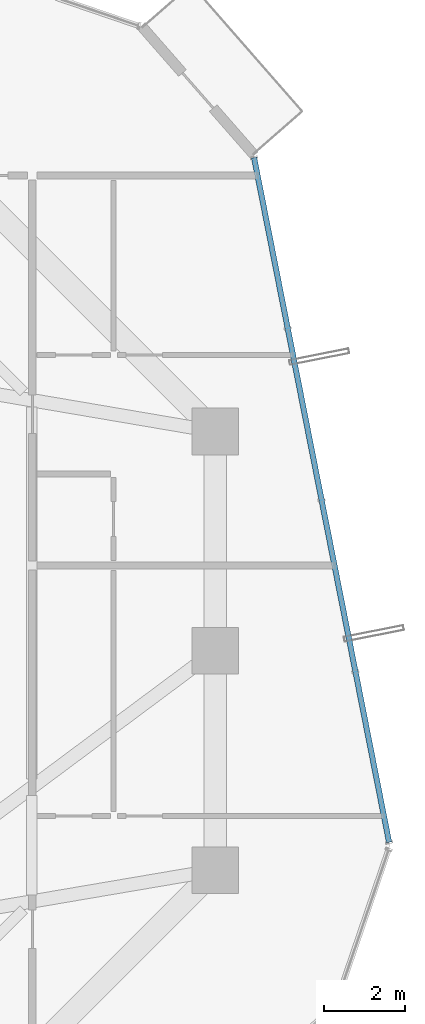
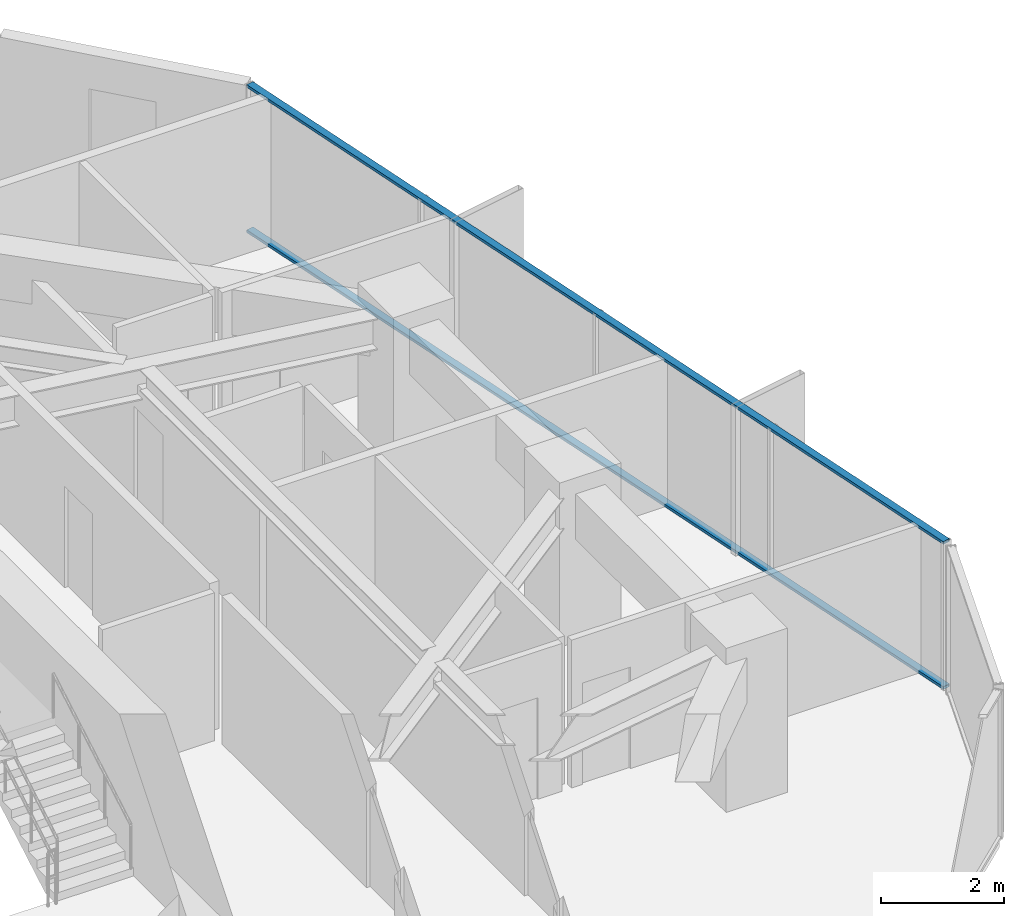
# One storey, part 19 of 36: 2 members, 1 element without a shape of its own.
"""IFC4 building model written with IfcOpenShell, lengths in metres."""

from ifc_helpers import new_model, si_unit, direction, frame, origin, origin_2d, place, context, subcontext, project, spatial, hollow_rectangle, extrude, source, transform, mapped, material, layer, layer_set, material_profile, profile_set, type_object, element, aggregate, save


model = new_model("IFC4")

# Units and contexts
model_context = context("Model", 3, precision=1e-05, world=origin(), true_north=direction((0.0, 1.0)))
body_context = subcontext(model_context, "Body", "Model", "MODEL_VIEW")
ifc_project = project(units=[si_unit("LENGTHUNIT", "METRE"), si_unit("AREAUNIT", "SQUARE_METRE"), si_unit("VOLUMEUNIT", "CUBIC_METRE"), si_unit("PLANEANGLEUNIT", "RADIAN"), si_unit("MASSUNIT", "GRAM", prefix="KILO")], contexts=[model_context])

# Site, building, storey
site_placement = place(None, origin())
site = spatial("IfcSite", under=ifc_project, at=site_placement, CompositionType="ELEMENT")
building_placement = place(site_placement, origin())
building = spatial("IfcBuilding", under=site, at=building_placement, Name="Veraguas Prism Commons", CompositionType="ELEMENT")
storey_placement = place(building_placement, frame((0.0, 0.0, 166.300048828125)))
storey = spatial("IfcBuildingStorey", under=building, at=storey_placement, Name="L47", CompositionType="ELEMENT", Elevation=166.300048828125)

# Curtain wall, members
ifc_material = material(Name="Anodised aluminium EN AW-6063 T6", Category="aluminium")
ifc_layer = layer(ifc_material, 0.169921875, Name="Unitised Flush Curtain Wall Zone 2", Category="aluminium")
ifc_layer_set = layer_set([ifc_layer], Name="Anodised aluminium EN AW-6063 T6")
curtain_wall_type = type_object("IfcCurtainWallType", Name="Unitised Flush Curtain Wall Zone 2", PredefinedType="NOTDEFINED", material=ifc_layer_set)
curtain_wall_placement = place(storey_placement, origin())
curtain_wall = element("IfcCurtainWall", 1, at=curtain_wall_placement, inside=storey, type_object=curtain_wall_type, Name="Tower Facade Curtain Wall L47-F6", PredefinedType="NOTDEFINED")
ifc_material_profile = material_profile(ifc_material, hollow_rectangle(XDim=0.054931640625, YDim=0.135009765625, WallThickness=0.0029296875, at=origin_2d()), Name="AL55X135X3")
ifc_profile_set = profile_set([ifc_material_profile], Name="Anodised aluminium EN AW-6063 T6")
member_type = type_object("IfcMemberType", Name="Curtain Wall Transom Standard AL 55x135x3", PredefinedType="USERDEFINED", material=ifc_profile_set)
shared_shape = source(origin(), body_context, "Body", "SweptSolid", [
    extrude(hollow_rectangle(XDim=0.054931640625, YDim=0.135009765625, WallThickness=0.0029296875, at=origin_2d()), origin(), (0.0, 0.0, 1.0), 17.17431640625),
])
member_1_placement = place(storey_placement, frame((44.481689453125, 19.287841796875, 0.02734375), z_axis=(-0.193543015058, 0.981091790467, 0.0), x_axis=(0.0, 0.0, 1.0)))
member_1 = element("IfcMember", 2, at=member_1_placement, type_object=member_type, Name="CW-Z2 Transom 1", ObjectType="TRANSOM", PredefinedType="USERDEFINED", context=body_context, shape_type="MappedRepresentation", body=[
    mapped(shared_shape, transform((0.0, 0.0, 0.0), scale=1.0)),
])
member_2_placement = place(storey_placement, frame((44.481689453125, 19.287841796875, 2.90234375), z_axis=(-0.193543015058, 0.981091790467, 0.0), x_axis=(0.0, 0.0, 1.0)))
member_2 = element("IfcMember", 3, at=member_2_placement, type_object=member_type, Name="CW-Z2 Transom 2", ObjectType="TRANSOM", PredefinedType="USERDEFINED", context=body_context, shape_type="MappedRepresentation", body=[
    mapped(shared_shape, transform((0.0, 0.0, 0.0), scale=1.0)),
])
aggregate(curtain_wall, [member_1, member_2])

save(model, "model.ifc")
